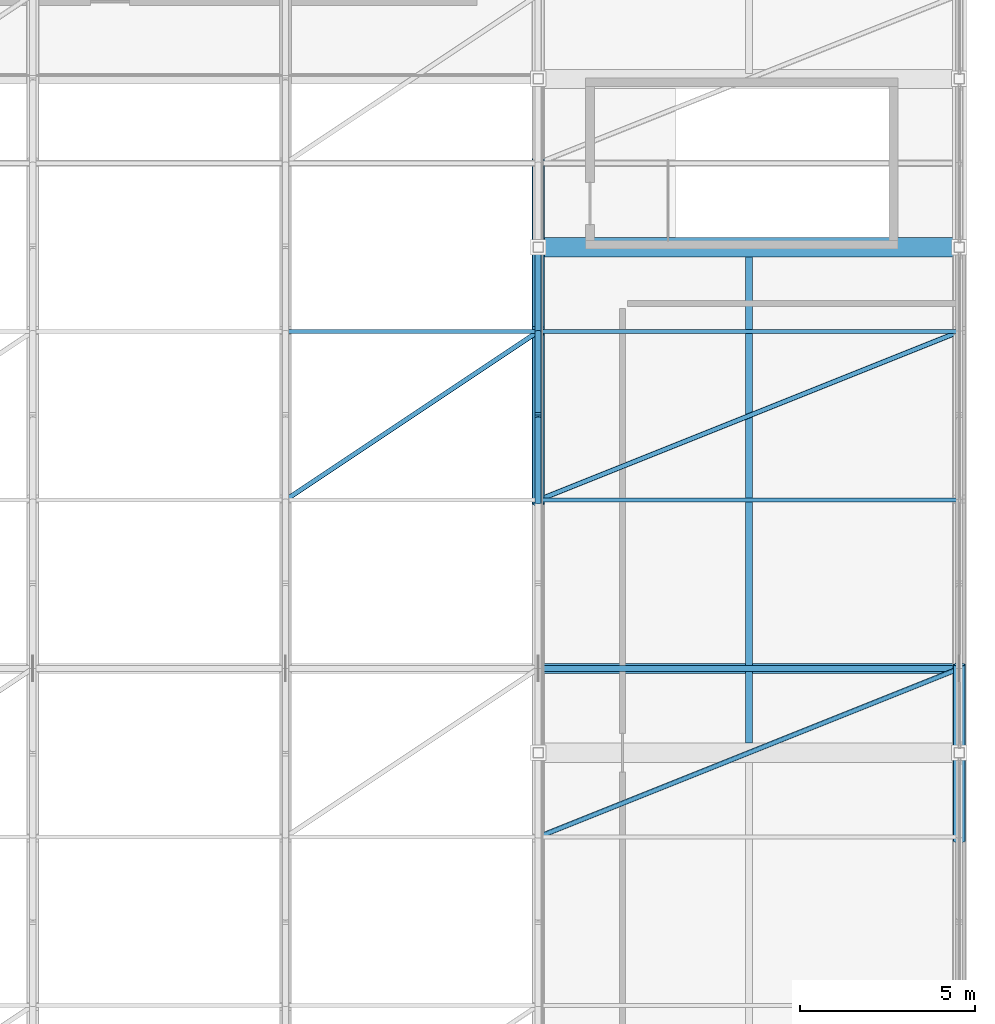
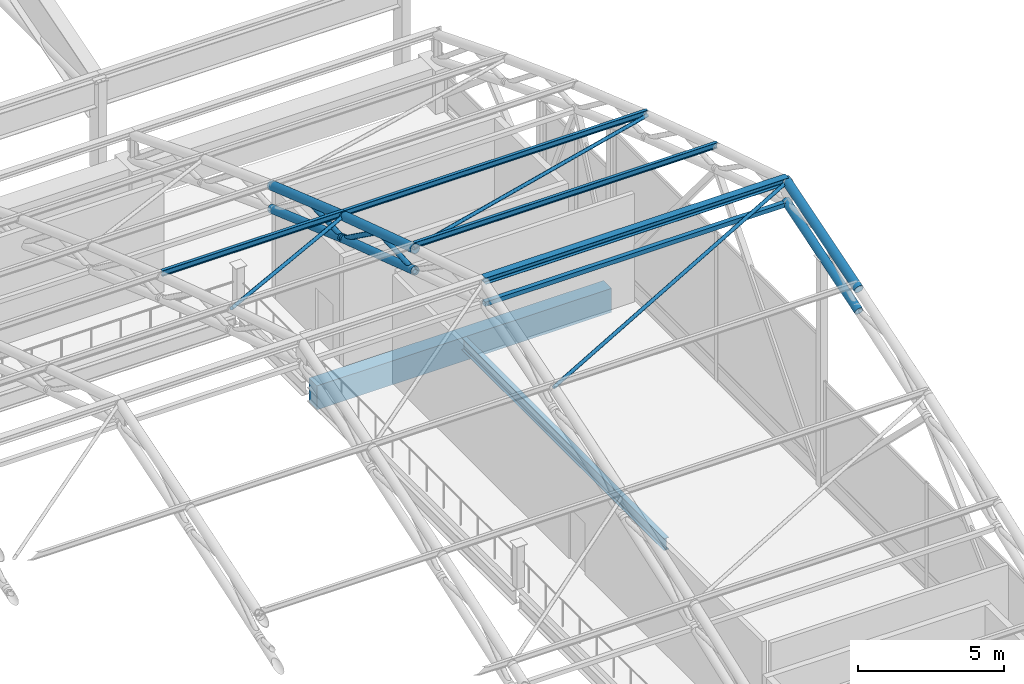
# One storey, part 56 of 116: 17 members, 2 beams.
"""IFC4 building model written with IfcOpenShell, lengths in metres."""

import ifcopenshell
import ifcopenshell.guid

model = None  # the IFC model being written
_history = None  # IfcOwnerHistory: only IFC2X3 demands one
_inside = {}  # id of a spatial element -> (the spatial element, [elements in it])
_under = {}  # id of a project, library or spatial element -> (it, [spatial elements below it])
_declared = {}  # id of a project -> (the project, [libraries it declares])
_typed = {}  # id of a type object -> (the type object, [elements of that type])
_made_of = {}  # id of a material, layer set ... -> (it, [elements and type objects made of it])


def new_model(schema):
    """Start an empty IFC model of exactly this schema.

    Asked for "IFC4X3", IfcOpenShell would pick the latest addendum, in which some entities
    have other attributes; the version numbers below select the first issue.
    IFC2X3 requires an IfcOwnerHistory on every rooted entity: one is made here for all.
    """
    global model, _history
    if schema == "IFC4X3":
        model = ifcopenshell.file(schema_version=(4, 3, 0, 0))
    else:
        model = ifcopenshell.file(schema=schema)
    _inside.clear()
    _under.clear()
    _declared.clear()
    _typed.clear()
    _made_of.clear()
    _history = None
    if model.schema == "IFC2X3":
        org = make("IfcOrganization", Name="unknown")
        user = make(
            "IfcPersonAndOrganization",
            ThePerson=make("IfcPerson", FamilyName="unknown"),
            TheOrganization=org,
        )
        app = make(
            "IfcApplication",
            ApplicationDeveloper=org,
            Version="unknown",
            ApplicationFullName="unknown",
            ApplicationIdentifier="unknown",
        )
        _history = make(
            "IfcOwnerHistory",
            OwningUser=user,
            OwningApplication=app,
            ChangeAction="ADDED",
            CreationDate=0,
        )
    return model


def make(cls, **values):
    """One entity of the class cls with the attributes given. An attribute that is None is left unset."""
    return model.create_entity(
        cls, **{name: value for name, value in values.items() if value is not None}
    )


def rooted(cls, **values):
    """An entity with a GlobalId (a new one), such as an element, a storey or a relation."""
    return make(cls, GlobalId=ifcopenshell.guid.new(), OwnerHistory=_history, **values)


def si_unit(unit_type, name, prefix=None):
    """IfcSIUnit, for example si_unit("LENGTHUNIT", "METRE", prefix="MILLI")."""
    return make("IfcSIUnit", UnitType=unit_type, Prefix=prefix, Name=name)


def assignment(units):
    """IfcUnitAssignment: the units of a project."""
    return None if units is None else make("IfcUnitAssignment", Units=units)


def point(xyz):
    """IfcCartesianPoint."""
    return None if xyz is None else make("IfcCartesianPoint", Coordinates=xyz)


def direction(xyz):
    """IfcDirection."""
    return None if xyz is None else make("IfcDirection", DirectionRatios=xyz)


def frame(location, z_axis=None, x_axis=None):
    """IfcAxis2Placement3D, a coordinate frame: its origin and axes. An axis left out is left unset."""
    return make(
        "IfcAxis2Placement3D",
        Location=point(location),
        Axis=direction(z_axis),
        RefDirection=direction(x_axis),
    )


def frame_2d(location, x_axis=None):
    """IfcAxis2Placement2D, a coordinate frame in the plane: its origin and x axis."""
    return make(
        "IfcAxis2Placement2D", Location=point(location), RefDirection=direction(x_axis)
    )


def origin():
    """The frame at (0, 0, 0) with its axes left unset."""
    return frame((0.0, 0.0, 0.0))


def origin_2d():
    """The frame at (0, 0) in the plane with its x axis left unset."""
    return frame_2d((0.0, 0.0))


def place(relative_to, where):
    """IfcLocalPlacement: puts the frame where relative to a parent placement (None: the world)."""
    return make(
        "IfcLocalPlacement", PlacementRelTo=relative_to, RelativePlacement=where
    )


def context(
    kind, dimensions, precision=None, world=None, true_north=None, identifier=None
):
    """IfcGeometricRepresentationContext, for example the 3D "Model" context."""
    return make(
        "IfcGeometricRepresentationContext",
        ContextIdentifier=identifier,
        ContextType=kind,
        CoordinateSpaceDimension=dimensions,
        Precision=precision,
        WorldCoordinateSystem=world,
        TrueNorth=true_north,
    )


def subcontext(parent, identifier, kind, view, scale=None):
    """IfcGeometricRepresentationSubContext, for example "Body" below "Model"."""
    return make(
        "IfcGeometricRepresentationSubContext",
        ContextIdentifier=identifier,
        ContextType=kind,
        ParentContext=parent,
        TargetScale=scale,
        TargetView=view,
    )


def project(units=None, contexts=None):
    """IfcProject with its units and contexts."""
    return rooted(
        "IfcProject",
        Name="project",
        RepresentationContexts=contexts,
        UnitsInContext=assignment(units),
    )


def spatial(cls, under=None, at=None, **own):
    """A site, building, storey or space (cls), placed at a placement, below another one or the project."""
    s = rooted(cls, ObjectPlacement=at, **own)
    if under is not None:
        _under.setdefault(under.id(), (under, []))[1].append(s)
    return s


def profile(cls, at=None, kind="AREA", **sizes):
    """A parametric profile (cls). Its sizes go by their IFC names, for example OverallWidth=200.0."""
    return make(cls, ProfileType=kind, Position=at, **sizes)


def rectangle(**sizes):
    """IfcRectangleProfileDef."""
    return profile("IfcRectangleProfileDef", **sizes)


def hollow_rectangle(**sizes):
    """IfcRectangleHollowProfileDef."""
    return profile("IfcRectangleHollowProfileDef", **sizes)


def hollow_circle(**sizes):
    """IfcCircleHollowProfileDef."""
    return profile("IfcCircleHollowProfileDef", **sizes)


def i_section(**sizes):
    """IfcIShapeProfileDef."""
    return profile("IfcIShapeProfileDef", **sizes)


def extrude(swept, where, along, depth):
    """IfcExtrudedAreaSolid: the profile swept, set in the frame where, extruded along a direction by depth."""
    return make(
        "IfcExtrudedAreaSolid",
        SweptArea=swept,
        Position=where,
        ExtrudedDirection=direction(along),
        Depth=depth,
    )


def shape(context_of_items, identifier, shape_type, items):
    """IfcShapeRepresentation: the items that make up one representation, for example the "Body"."""
    return make(
        "IfcShapeRepresentation",
        ContextOfItems=context_of_items,
        RepresentationIdentifier=identifier,
        RepresentationType=shape_type,
        Items=items,
    )


def material(Name=None, Category=None):
    """IfcMaterial."""
    return make("IfcMaterial", Name=Name, Category=Category)


def material_profile(
    of_material, cross_section, Name=None, Category=None, Priority=None
):
    """IfcMaterialProfile: a cross section and its material."""
    return make(
        "IfcMaterialProfile",
        Name=Name,
        Material=of_material,
        Profile=cross_section,
        Priority=Priority,
        Category=Category,
    )


def profile_set(profiles, Name=None, composite=None):
    """IfcMaterialProfileSet."""
    return make(
        "IfcMaterialProfileSet",
        Name=Name,
        MaterialProfiles=profiles,
        CompositeProfile=composite,
    )


def made_of(thing, what):
    """Note that an element or type object is made of a material, layer set ...; save() writes the relation."""
    if what is not None:
        _made_of.setdefault(what.id(), (what, []))[1].append(thing)
    return thing


def type_object(cls, material=None, **own):
    """A type object (cls), such as IfcWallType, which elements share."""
    return made_of(rooted(cls, **own), material)


def element(
    cls,
    number,
    at=None,
    inside=None,
    cuts=None,
    type_object=None,
    material=None,
    context=None,
    identifier="Body",
    shape_type=None,
    held_by="IfcProductDefinitionShape",
    body=None,
    shapes=None,
    **own,
):
    """One element of the class cls, such as IfcWall. Its Tag is "e" and its number.

    at: its placement. inside: the storey or other place that contains it. cuts: it is an
    opening in that element (IfcRelVoidsElement). A single representation is given by context,
    identifier, shape_type and body (its items); several are given by shapes. held_by: the class
    of the entity that holds the representations. save() writes the other relations.
    """
    e = rooted(cls, Tag="e%d" % number, ObjectPlacement=at, **own)
    if body is not None:
        shapes = [shape(context, identifier, shape_type, body)]
    if shapes is not None:
        e.Representation = make(held_by, Representations=shapes)
    if inside is not None:
        _inside.setdefault(inside.id(), (inside, []))[1].append(e)
    if cuts is not None:
        rooted(
            "IfcRelVoidsElement", RelatingBuildingElement=cuts, RelatedOpeningElement=e
        )
    if type_object is not None:
        _typed.setdefault(type_object.id(), (type_object, []))[1].append(e)
    return made_of(e, material)


def aggregate(whole, parts):
    """IfcRelAggregates: a whole, such as a stair, and the parts it consists of."""
    return rooted("IfcRelAggregates", RelatingObject=whole, RelatedObjects=parts)


def save(model, path):
    """Write the relations noted so far, then the file.

    IfcRelAggregates (storeys below a building ...), IfcRelContainedInSpatialStructure (elements
    in a storey), IfcRelDefinesByType, IfcRelAssociatesMaterial and IfcRelDeclares: one each for
    every whole, place, type object, material and project.
    """
    for whole, parts in _under.values():
        aggregate(whole, parts)
    for where, things in _inside.values():
        rooted(
            "IfcRelContainedInSpatialStructure",
            RelatedElements=things,
            RelatingStructure=where,
        )
    for kind, things in _typed.values():
        rooted("IfcRelDefinesByType", RelatedObjects=things, RelatingType=kind)
    for what, things in _made_of.values():
        rooted("IfcRelAssociatesMaterial", RelatedObjects=things, RelatingMaterial=what)
    for by, libraries in _declared.values():
        rooted("IfcRelDeclares", RelatingContext=by, RelatedDefinitions=libraries)
    model.write(path)


model = new_model("IFC4")

# Units and contexts
model_context = context("Model", 3, precision=1e-05, world=origin(), true_north=direction((0.0, 1.0)))
body_context = subcontext(model_context, "Body", "Model", "MODEL_VIEW")
ifc_project = project(units=[si_unit("LENGTHUNIT", "METRE"), si_unit("AREAUNIT", "SQUARE_METRE"), si_unit("VOLUMEUNIT", "CUBIC_METRE"), si_unit("PLANEANGLEUNIT", "RADIAN"), si_unit("MASSUNIT", "GRAM", prefix="KILO")], contexts=[model_context])

# Site, building, storey
site_placement = place(None, origin())
site = spatial("IfcSite", under=ifc_project, at=site_placement, CompositionType="ELEMENT")
building_placement = place(site_placement, origin())
building = spatial("IfcBuilding", under=site, at=building_placement, Name="Cendralis Lancet Convention Centre", CompositionType="ELEMENT")
storey_placement = place(building_placement, frame((0.0, 0.0, 15.0)))
storey = spatial("IfcBuildingStorey", under=building, at=storey_placement, Name="L03", CompositionType="ELEMENT", Elevation=15.0)

# Beam
ifc_material_1 = material(Name="Concrete G40 (C40/50)", Category="concrete")
ifc_material_profile_1 = material_profile(ifc_material_1, rectangle(XDim=0.550048828125, YDim=1.0, at=origin_2d()), Name="RCB 550x1000")
ifc_profile_set_1 = profile_set([ifc_material_profile_1], Name="Concrete G40 (C40/50)")
beam_type_1 = type_object("IfcBeamType", Name="STR-BM-BG05", PredefinedType="BEAM", material=ifc_profile_set_1)
beam_1_placement = place(storey_placement, frame((196.97509765625, 79.199951171875, -0.760009765625), z_axis=(1.0, 0.0, 0.0), x_axis=(0.0, 1.0, 0.0)))
element("IfcBeam", 1, at=beam_1_placement, inside=storey, type_object=beam_type_1, Name="L03 Beam BG05 #1528", PredefinedType="BEAM", context=body_context, shape_type="SweptSolid", body=[
    extrude(rectangle(XDim=0.550048828125, YDim=1.0, at=origin_2d()), origin(), (0.0, 0.0, 1.0), 11.64990234375),
])

# Members
ifc_material_2 = material(Name="Steel S355", Category="steel")
ifc_material_profile_2 = material_profile(ifc_material_2, hollow_circle(Radius=0.06982421875, WallThickness=0.00634765625, at=origin_2d()), Name="CHS 139.7x6.3")
ifc_profile_set_2 = profile_set([ifc_material_profile_2], Name="Steel S355")
member_type_1 = type_object("IfcMemberType", Name="STR-BR-RB02", PredefinedType="BRACE", material=ifc_profile_set_2)
member_1_placement = place(storey_placement, frame((189.60009765625, 72.0, 9.7666015625), z_axis=(0.818780471721, 0.545862902394, -0.177854521781), x_axis=(-0.554706707029, 0.832045953765, 0.0)))
element("IfcMember", 2, at=member_1_placement, inside=storey, type_object=member_type_1, Name="Roof Diaphragm Brace RB02 V2-07-06A", PredefinedType="BRACE", context=body_context, shape_type="SweptSolid", body=[
    extrude(hollow_circle(Radius=0.06982421875, WallThickness=0.00634765625, at=origin_2d()), origin(), (0.0, 0.0, 1.0), 8.79345703125),
])
member_2_placement = place(storey_placement, frame((196.800048828125, 62.39990234375, 9.7666015625), z_axis=(0.922419620331, 0.368971601467, 0.114026318626), x_axis=(-0.371393933228, 0.928475388129, 0.0)))
element("IfcMember", 3, at=member_2_placement, inside=storey, type_object=member_type_1, Name="Roof Diaphragm Brace RB02 V2-08-04A", PredefinedType="BRACE", context=body_context, shape_type="SweptSolid", body=[
    extrude(hollow_circle(Radius=0.06982421875, WallThickness=0.00634765625, at=origin_2d()), origin(), (0.0, 0.0, 1.0), 13.00927734375),
])
member_3_placement = place(storey_placement, frame((196.800048828125, 72.0, 9.7666015625), z_axis=(0.921751277758, 0.368704261719, -0.120132216091), x_axis=(-0.371393933228, 0.928475388129, 0.0)))
element("IfcMember", 4, at=member_3_placement, inside=storey, type_object=member_type_1, Name="Roof Diaphragm Brace RB02 V2-08-06A", PredefinedType="BRACE", context=body_context, shape_type="SweptSolid", body=[
    extrude(hollow_circle(Radius=0.06982421875, WallThickness=0.00634765625, at=origin_2d()), origin(), (0.0, 0.0, 1.0), 13.018798828125),
])
ifc_material_profile_3 = material_profile(ifc_material_2, hollow_rectangle(XDim=0.179931640625, YDim=0.179931640625, WallThickness=0.010009765625, at=origin_2d()), Name="SHS 180x180x10.0")
ifc_profile_set_3 = profile_set([ifc_material_profile_3], Name="Steel S355")
member_type_2 = type_object("IfcMemberType", Name="STR-BR-ST02", PredefinedType="STRUT", material=ifc_profile_set_3)
member_4_placement = place(storey_placement, frame((196.800048828125, 67.199951171875, 10.367919921875), z_axis=(1.0, 0.0, 0.0), x_axis=(0.0, 1.0, 0.0)))
element("IfcMember", 5, at=member_4_placement, inside=storey, type_object=member_type_2, Name="Arch Tie Strut ST02 V2-08-05", PredefinedType="STRUT", context=body_context, shape_type="SweptSolid", body=[
    extrude(hollow_rectangle(XDim=0.179931640625, YDim=0.179931640625, WallThickness=0.010009765625, at=origin_2d()), origin(), (0.0, 0.0, 1.0), 12.0),
])

# Beam
ifc_material_profile_4 = material_profile(ifc_material_2, i_section(OverallWidth=0.199951171875, OverallDepth=0.5, WebThickness=0.01025390625, FlangeThickness=0.01611328125, FilletRadius=0.02099609375, at=origin_2d()), Name="IPE 500")
ifc_profile_set_4 = profile_set([ifc_material_profile_4], Name="Steel S355")
beam_type_2 = type_object("IfcBeamType", Name="STR-JS-BJ06", PredefinedType="JOIST", material=ifc_profile_set_4)
beam_2_placement = place(storey_placement, frame((202.800048828125, 65.074951171875, -0.510009765625), z_axis=(0.0, 1.0, 0.0), x_axis=(-1.0, 0.0, 0.0)))
element("IfcBeam", 6, at=beam_2_placement, inside=storey, type_object=beam_type_2, Name="L03 Beam BJ06 #1557", PredefinedType="JOIST", context=body_context, shape_type="SweptSolid", body=[
    extrude(i_section(OverallWidth=0.199951171875, OverallDepth=0.5, WebThickness=0.01025390625, FlangeThickness=0.01611328125, FilletRadius=0.02099609375, at=origin_2d()), origin(), (0.0, 0.0, 1.0), 13.85009765625),
])

# Members
ifc_material_profile_5 = material_profile(ifc_material_2, i_section(OverallWidth=0.1201171875, OverallDepth=0.239990234375, WebThickness=0.006103515625, FlangeThickness=0.009765625, FilletRadius=0.014892578125, at=origin_2d()), Name="IPE 240")
ifc_profile_set_5 = profile_set([ifc_material_profile_5], Name="Steel S355")
member_type_3 = type_object("IfcMemberType", Name="STR-PR-PR02", PredefinedType="PURLIN", material=ifc_profile_set_5)
member_5_placement = place(storey_placement, frame((189.60009765625, 76.800048828125, 8.332763671875), z_axis=(1.0, 0.0, 0.0), x_axis=(0.0, 1.0, 0.0)))
element("IfcMember", 7, at=member_5_placement, inside=storey, type_object=member_type_3, Name="Vault Roof Purlin PR02 V2-07-07", PredefinedType="PURLIN", context=body_context, shape_type="SweptSolid", body=[
    extrude(i_section(OverallWidth=0.1201171875, OverallDepth=0.239990234375, WebThickness=0.006103515625, FlangeThickness=0.009765625, FilletRadius=0.014892578125, at=origin_2d()), origin(), (0.0, 0.0, 1.0), 7.199951171875),
])
for number, where, z_axis, x_axis, name in (
    (8, (196.800048828125, 72.0, 9.896484375), (1.0, 0.0, 0.0), (0.0, 1.0, 0.0), "Vault Roof Purlin PR02 V2-08-06"),
    (9, (196.800048828125, 76.800048828125, 8.332763671875), (1.0, 0.0, 0.0), (0.0, 1.0, 0.0), "Vault Roof Purlin PR02 V2-08-07"),
):
    element("IfcMember", number, at=place(storey_placement, frame(where, z_axis=z_axis, x_axis=x_axis)), inside=storey, type_object=member_type_3, Name=name, PredefinedType="PURLIN", context=body_context, shape_type="SweptSolid", body=[
        extrude(i_section(OverallWidth=0.1201171875, OverallDepth=0.239990234375, WebThickness=0.006103515625, FlangeThickness=0.009765625, FilletRadius=0.014892578125, at=origin_2d()), origin(), (0.0, 0.0, 1.0), 12.0),
    ])
ifc_material_profile_6 = material_profile(ifc_material_2, i_section(OverallWidth=0.280029296875, OverallDepth=0.27001953125, WebThickness=0.008056640625, FlangeThickness=0.012939453125, FilletRadius=0.02392578125, at=origin_2d()), Name="HEA 280")
ifc_profile_set_6 = profile_set([ifc_material_profile_6], Name="Steel S355")
member_type_4 = type_object("IfcMemberType", Name="STR-PR-PR06", PredefinedType="PURLIN", material=ifc_profile_set_6)
member_6_placement = place(storey_placement, frame((196.800048828125, 67.199951171875, 11.364990234375), z_axis=(1.0, 0.0, 0.0), x_axis=(0.0, 1.0, 0.0)))
element("IfcMember", 10, at=member_6_placement, inside=storey, type_object=member_type_4, Name="Vault Roof Purlin PR06 V2-08-05", PredefinedType="PURLIN", context=body_context, shape_type="SweptSolid", body=[
    extrude(i_section(OverallWidth=0.280029296875, OverallDepth=0.27001953125, WebThickness=0.008056640625, FlangeThickness=0.012939453125, FilletRadius=0.02392578125, at=origin_2d()), origin(), (0.0, 0.0, 1.0), 12.0),
])
ifc_material_profile_7 = material_profile(ifc_material_2, hollow_circle(Radius=0.161865234375, WallThickness=0.01416015625, at=origin_2d()), Name="CHS 323.9x14.2")
ifc_profile_set_7 = profile_set([ifc_material_profile_7], Name="Steel S355")
member_type_5 = type_object("IfcMemberType", Name="STR-TR-BC02", PredefinedType="CHORD", material=ifc_profile_set_7)
member_7_placement = place(storey_placement, frame((208.800048828125, 62.28564453125, 8.814697265625), z_axis=(0.0, 0.953497974751, 0.301399422935), x_axis=(-1.0, 0.0, 0.0)))
element("IfcMember", 11, at=member_7_placement, inside=storey, type_object=member_type_5, Name="ROOF TRUSS AT-V2-10 Bottom Chord 04", PredefinedType="CHORD", context=body_context, shape_type="SweptSolid", body=[
    extrude(hollow_circle(Radius=0.161865234375, WallThickness=0.01416015625, at=origin_2d()), origin(), (0.0, 0.0, 1.0), 5.274169921875),
])
ifc_material_profile_8 = material_profile(ifc_material_2, hollow_circle(Radius=0.161865234375, WallThickness=0.01416015625, at=origin_2d()), Name="CHS 323.9x14.2")
ifc_profile_set_8 = profile_set([ifc_material_profile_8], Name="Steel S355")
member_type_6 = type_object("IfcMemberType", Name="STR-TR-BC02-INT", PredefinedType="CHORD", material=ifc_profile_set_8)
member_8_placement = place(storey_placement, frame((196.800048828125, 71.885986328125, 8.888916015625), z_axis=(0.0, 0.948830629051, -0.315785429325), x_axis=(-1.0, 0.0, 0.0)))
element("IfcMember", 12, at=member_8_placement, inside=storey, type_object=member_type_6, Name="ROOF TRUSS AT-V2-09 Bottom Chord 06", PredefinedType="CHORD", context=body_context, shape_type="SweptSolid", body=[
    extrude(hollow_circle(Radius=0.161865234375, WallThickness=0.01416015625, at=origin_2d()), origin(), (0.0, 0.0, 1.0), 5.299072265625),
])
member_9_placement = place(storey_placement, frame((196.800048828125, 76.68701171875, 7.29345703125), z_axis=(0.0, 0.942788943503, -0.333390173833), x_axis=(-1.0, 0.0, 0.0)))
element("IfcMember", 13, at=member_9_placement, inside=storey, type_object=member_type_6, Name="ROOF TRUSS AT-V2-09 Bottom Chord 07", PredefinedType="CHORD", context=body_context, shape_type="SweptSolid", body=[
    extrude(hollow_circle(Radius=0.161865234375, WallThickness=0.01416015625, at=origin_2d()), origin(), (0.0, 0.0, 1.0), 5.3310546875),
])
ifc_material_profile_9 = material_profile(ifc_material_2, hollow_circle(Radius=0.177734375, WallThickness=0.01611328125, at=origin_2d()), Name="CHS 355.6x16.0")
ifc_profile_set_9 = profile_set([ifc_material_profile_9], Name="Steel S355")
member_type_7 = type_object("IfcMemberType", Name="STR-TR-TC02", PredefinedType="CHORD", material=ifc_profile_set_9)
member_10_placement = place(storey_placement, frame((208.800048828125, 62.285400390625, 9.731201171875), z_axis=(0.0, 0.955419293566, 0.295252389458), x_axis=(-1.0, 0.0, 0.0)))
element("IfcMember", 14, at=member_10_placement, inside=storey, type_object=member_type_7, Name="ROOF TRUSS AT-V2-10 Top Chord 04", PredefinedType="CHORD", context=body_context, shape_type="SweptSolid", body=[
    extrude(hollow_circle(Radius=0.177734375, WallThickness=0.01611328125, at=origin_2d()), origin(), (0.0, 0.0, 1.0), 5.263916015625),
])
ifc_material_profile_10 = material_profile(ifc_material_2, hollow_circle(Radius=0.177734375, WallThickness=0.01611328125, at=origin_2d()), Name="CHS 355.6x16.0")
ifc_profile_set_10 = profile_set([ifc_material_profile_10], Name="Steel S355")
member_type_8 = type_object("IfcMemberType", Name="STR-TR-TC02-INT", PredefinedType="CHORD", material=ifc_profile_set_10)
member_11_placement = place(storey_placement, frame((196.800048828125, 71.885986328125, 9.8037109375), z_axis=(0.0, 0.950808200203, -0.309780190501), x_axis=(-1.0, 0.0, 0.0)))
element("IfcMember", 15, at=member_11_placement, inside=storey, type_object=member_type_8, Name="ROOF TRUSS AT-V2-09 Top Chord 06", PredefinedType="CHORD", context=body_context, shape_type="SweptSolid", body=[
    extrude(hollow_circle(Radius=0.177734375, WallThickness=0.01611328125, at=origin_2d()), origin(), (0.0, 0.0, 1.0), 5.288330078125),
])
member_12_placement = place(storey_placement, frame((196.800048828125, 76.6865234375, 8.241943359375), z_axis=(0.0, 0.944848505706, -0.327507711764), x_axis=(-1.0, 0.0, 0.0)))
element("IfcMember", 16, at=member_12_placement, inside=storey, type_object=member_type_8, Name="ROOF TRUSS AT-V2-09 Top Chord 07", PredefinedType="CHORD", context=body_context, shape_type="SweptSolid", body=[
    extrude(hollow_circle(Radius=0.177734375, WallThickness=0.01611328125, at=origin_2d()), origin(), (0.0, 0.0, 1.0), 5.3203125),
])
ifc_material_profile_11 = material_profile(ifc_material_2, hollow_circle(Radius=0.096923828125, WallThickness=0.008056640625, at=origin_2d()), Name="CHS 193.7x8.0")
ifc_profile_set_11 = profile_set([ifc_material_profile_11], Name="Steel S355")
member_type_9 = type_object("IfcMemberType", Name="STR-TR-WD02-INT", PredefinedType="BRACE", material=ifc_profile_set_11)
member_13_placement = place(storey_placement, frame((196.800048828125, 71.900146484375, 8.84521484375), z_axis=(0.0, 0.998447632237, 0.055698524939), x_axis=(-1.0, 0.0, 0.0)))
element("IfcMember", 17, at=member_13_placement, inside=storey, type_object=member_type_9, Name="ROOF TRUSS AT-V2-09 Warren Web 06-0", PredefinedType="BRACE", context=body_context, shape_type="SweptSolid", body=[
    extrude(hollow_circle(Radius=0.096923828125, WallThickness=0.008056640625, at=origin_2d()), origin(), (0.0, 0.0, 1.0), 2.603759765625),
])
member_14_placement = place(storey_placement, frame((196.800048828125, 74.31884765625, 9.043212890625), z_axis=(0.0, 0.811035686786, -0.584996679273), x_axis=(-1.0, 0.0, 0.0)))
element("IfcMember", 18, at=member_14_placement, inside=storey, type_object=member_type_9, Name="ROOF TRUSS AT-V2-09 Warren Web 06-1", PredefinedType="BRACE", context=body_context, shape_type="SweptSolid", body=[
    extrude(hollow_circle(Radius=0.096923828125, WallThickness=0.008056640625, at=origin_2d()), origin(), (0.0, 0.0, 1.0), 3.1591796875),
])
member_15_placement = place(storey_placement, frame((196.800048828125, 76.7001953125, 7.24853515625), z_axis=(0.0, 0.998805103147, 0.048870910851), x_axis=(-1.0, 0.0, 0.0)))
element("IfcMember", 19, at=member_15_placement, inside=storey, type_object=member_type_9, Name="ROOF TRUSS AT-V2-09 Warren Web 07-0", PredefinedType="BRACE", context=body_context, shape_type="SweptSolid", body=[
    extrude(hollow_circle(Radius=0.096923828125, WallThickness=0.008056640625, at=origin_2d()), origin(), (0.0, 0.0, 1.0), 2.602783203125),
])

save(model, "model.ifc")
